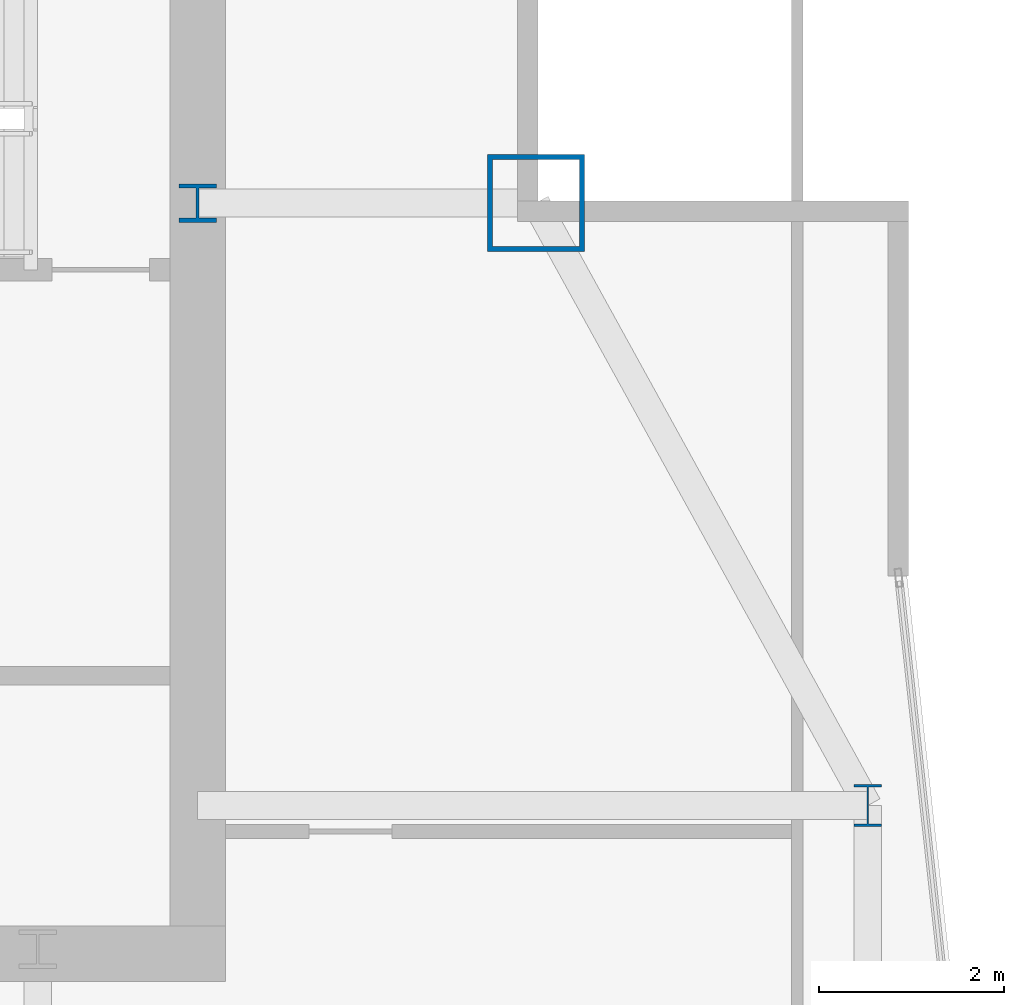
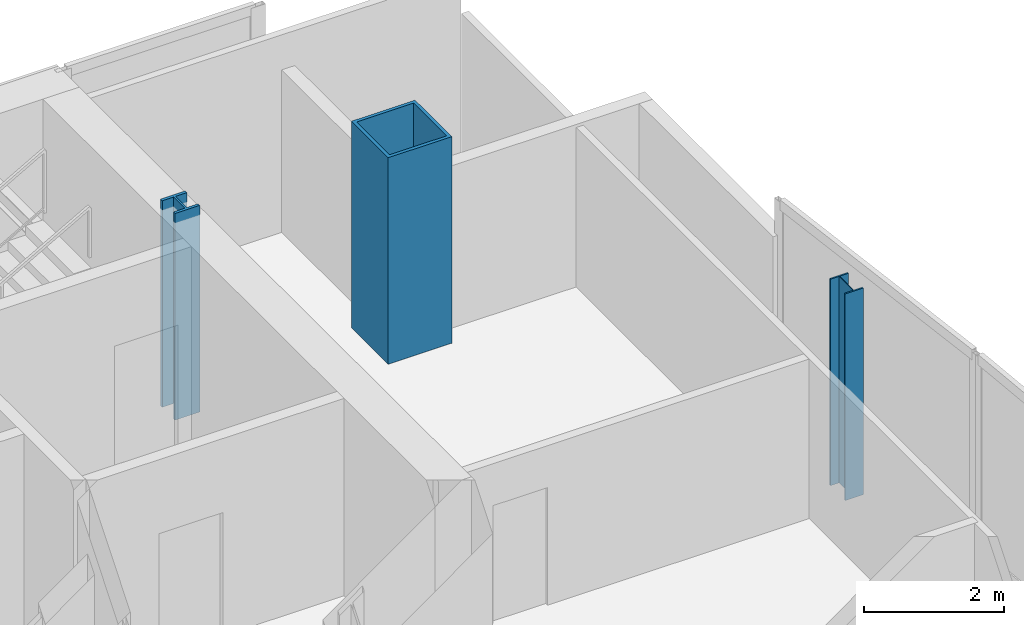
# One storey, part 4 of 29: 3 columns.
"""IFC4 building model written with IfcOpenShell, lengths in metres."""

from ifc_helpers import new_model, si_unit, direction, frame, origin, origin_2d, place, context, subcontext, project, spatial, hollow_rectangle, i_section, extrude, material, material_profile, profile_set, type_object, element, save


model = new_model("IFC4")

# Units and contexts
model_context = context("Model", 3, precision=1e-05, world=origin(), true_north=direction((0.0, 1.0)))
body_context = subcontext(model_context, "Body", "Model", "MODEL_VIEW")
ifc_project = project(units=[si_unit("LENGTHUNIT", "METRE"), si_unit("AREAUNIT", "SQUARE_METRE"), si_unit("VOLUMEUNIT", "CUBIC_METRE"), si_unit("PLANEANGLEUNIT", "RADIAN"), si_unit("MASSUNIT", "GRAM", prefix="KILO")], contexts=[model_context])

# Site, building, storey
site_placement = place(None, origin())
site = spatial("IfcSite", under=ifc_project, at=site_placement, CompositionType="ELEMENT")
building_placement = place(site_placement, origin())
building = spatial("IfcBuilding", under=site, at=building_placement, Name="Khoronbel Lancet Exchange", CompositionType="ELEMENT")
storey_placement = place(building_placement, frame((0.0, 0.0, 246.199951171875)))
storey = spatial("IfcBuildingStorey", under=building, at=storey_placement, Name="L63", CompositionType="ELEMENT", Elevation=246.199951171875)

# Columns
ifc_material_1 = material(Name="Steel S355", Category="steel")
ifc_material_profile_1 = material_profile(ifc_material_1, i_section(OverallWidth=0.406005859375, OverallDepth=0.416015625, WebThickness=0.02978515625, FlangeThickness=0.048095703125, at=origin_2d()), Name="HD 400x382")
ifc_profile_set_1 = profile_set([ifc_material_profile_1], Name="Steel S355")
column_type_1 = type_object("IfcColumnType", Name="COL-IC3", PredefinedType="COLUMN", material=ifc_profile_set_1)
column_1_placement = place(storey_placement, frame((56.39990234375, 49.699951171875, 0.0), z_axis=(0.0, 0.0, 1.0), x_axis=(1.0, 0.0, 0.0)))
element("IfcColumn", 1, at=column_1_placement, inside=storey, type_object=column_type_1, Name="Core-flank plumb transfer column CFE L63", PredefinedType="COLUMN", context=body_context, shape_type="SweptSolid", body=[
    extrude(i_section(OverallWidth=0.406005859375, OverallDepth=0.416015625, WebThickness=0.02978515625, FlangeThickness=0.048095703125, at=origin_2d()), origin(), (0.0, 0.0, 1.0), 3.60009765625),
])
ifc_material_profile_2 = material_profile(ifc_material_1, i_section(OverallWidth=0.300048828125, OverallDepth=0.449951171875, WebThickness=0.013916015625, FlangeThickness=0.02587890625, at=origin_2d()), Name="HEB 450")
ifc_profile_set_2 = profile_set([ifc_material_profile_2], Name="Steel S355")
column_type_2 = type_object("IfcColumnType", Name="COL-LC2", PredefinedType="COLUMN", material=ifc_profile_set_2)
column_2_placement = place(storey_placement, frame((63.6298828125, 43.199951171875, 0.0), z_axis=(0.0, 0.0, 1.0), x_axis=(1.0, 0.0, 0.0)))
element("IfcColumn", 2, at=column_2_placement, inside=storey, type_object=column_type_2, Name="Structural column EC-4 L63", PredefinedType="COLUMN", context=body_context, shape_type="SweptSolid", body=[
    extrude(i_section(OverallWidth=0.300048828125, OverallDepth=0.449951171875, WebThickness=0.013916015625, FlangeThickness=0.02587890625, at=origin_2d()), origin(), (0.0, 0.0, 1.0), 3.60009765625),
])
ifc_material_2 = material(Name="Steel S460", Category="steel")
ifc_material_profile_3 = material_profile(ifc_material_2, hollow_rectangle(XDim=1.050048828125, YDim=1.050048828125, WallThickness=0.054931640625, at=origin_2d()), Name="BOX 1050x1050x55")
ifc_profile_set_3 = profile_set([ifc_material_profile_3], Name="Steel S460")
column_type_3 = type_object("IfcColumnType", Name="COL-MC6", PredefinedType="COLUMN", material=ifc_profile_set_3)
column_3_placement = place(storey_placement, frame((60.050048828125, 49.699951171875, 0.0), z_axis=(0.0, 0.0, 1.0), x_axis=(1.0, 0.0, 0.0)))
element("IfcColumn", 3, at=column_3_placement, inside=storey, type_object=column_type_3, Name="Structural column MC-NE L63", PredefinedType="COLUMN", context=body_context, shape_type="SweptSolid", body=[
    extrude(hollow_rectangle(XDim=1.050048828125, YDim=1.050048828125, WallThickness=0.054931640625, at=origin_2d()), origin(), (0.0, 0.0, 1.0), 3.60009765625),
])

save(model, "model.ifc")
